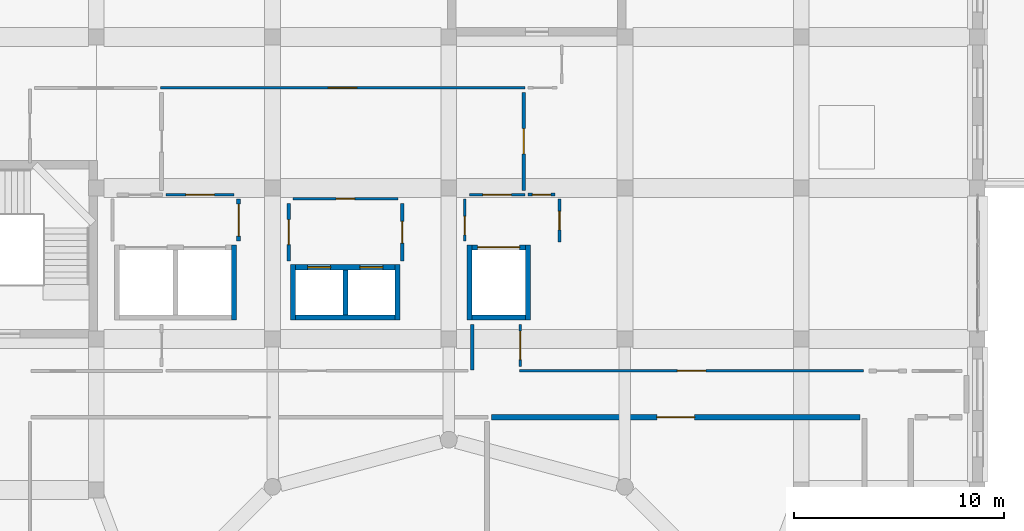
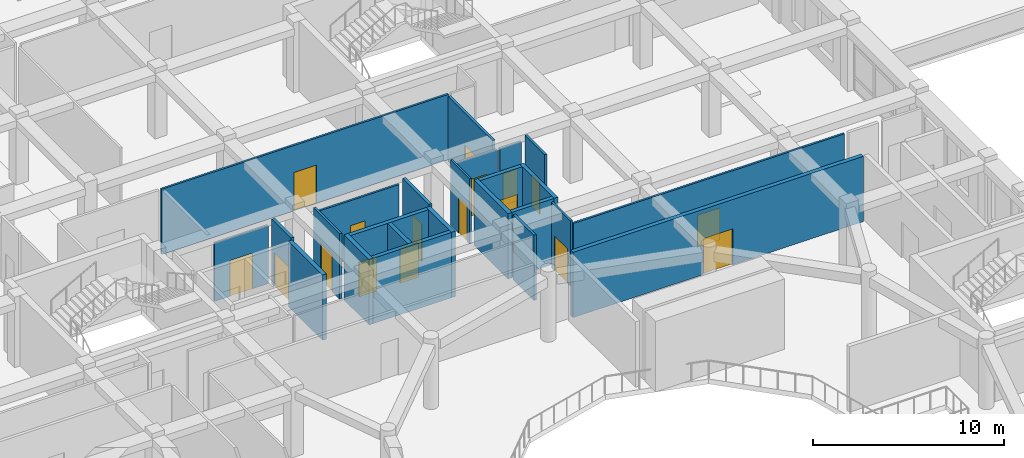
# One storey, part 83 of 121: 25 walls, 17 doors, 17 openings.
"""IFC4 building model written with IfcOpenShell, lengths in metres."""

from ifc_helpers import new_model, si_unit, derived_unit, direction, frame, frame_2d, origin, place, context, subcontext, project, spatial, rectangle, extrude, material, layer, layer_set, type_object, element, fill, save


model = new_model("IFC4")

# Units and contexts
model_context = context("Model", 3, precision=1e-05, world=origin(), true_north=direction((0.0, 1.0)))
body_context = subcontext(model_context, "Body", "Model", "MODEL_VIEW")
ifc_project = project(units=[si_unit("LENGTHUNIT", "METRE"), si_unit("AREAUNIT", "SQUARE_METRE"), si_unit("VOLUMEUNIT", "CUBIC_METRE"), si_unit("PLANEANGLEUNIT", "RADIAN"), si_unit("MASSUNIT", "GRAM", prefix="KILO"), derived_unit("THERMALTRANSMITTANCEUNIT", [(si_unit("POWERUNIT", "WATT"), 1), (si_unit("LENGTHUNIT", "METRE"), -2), (si_unit("THERMODYNAMICTEMPERATUREUNIT", "KELVIN"), -1)])], contexts=[model_context])

# Site, building, storey
site_placement = place(None, origin())
site = spatial("IfcSite", under=ifc_project, at=site_placement, CompositionType="ELEMENT")
building_placement = place(site_placement, origin())
building = spatial("IfcBuilding", under=site, at=building_placement, Name="Veybourne Emporium", CompositionType="ELEMENT")
storey_placement = place(building_placement, frame((0.0, 0.0, 5.39990234375)))
storey = spatial("IfcBuildingStorey", under=building, at=storey_placement, Name="L01", CompositionType="ELEMENT", Elevation=5.39990234375)

# Wall, openings, doors
ifc_material_1 = material(Name="Concrete C40/50", Category="concrete")
ifc_layer_1 = layer(ifc_material_1, 0.239990234375)
ifc_layer_set_1 = layer_set([ifc_layer_1], Name="Concrete C40/50")
wall_type_1 = type_object("IfcWallType", Name="IntWall_CW-04", PredefinedType="SHEAR", material=ifc_layer_set_1)
wall_1_placement = place(storey_placement, frame((73.0400390625, 75.419921875, 0.0), z_axis=(0.0, 0.0, 1.0), x_axis=(-1.0, 0.0, 0.0)))
wall_1 = element("IfcWall", 1, at=wall_1_placement, inside=storey, type_object=wall_type_1, Name="Lift core C4P north shaft wall (L01)", PredefinedType="SHEAR", context=body_context, shape_type="SweptSolid", body=[
    extrude(rectangle(XDim=4.739990234375, YDim=0.239990234375, at=frame_2d((2.3701171875, 0.0))), origin(), (0.0, 0.0, 1.0), 4.18017578125),
])
opening_1_placement = place(wall_1_placement, frame((3.06494140625, 0.0, 0.0)))
opening_1 = element("IfcOpeningElement", 2, at=opening_1_placement, cuts=wall_1, Name="Opening LD-01", PredefinedType="OPENING", context=body_context, shape_type="SweptSolid", body=[
    extrude(rectangle(XDim=1.10009765625, YDim=2.199951171875, at=frame_2d((0.550048828125, 1.10009765625))), frame((0.0, 0.14013671875, 0.0), z_axis=(0.0, -1.0, 0.0), x_axis=(1.0, 0.0, 0.0)), (0.0, 0.0, 1.0), 0.280029296875),
])
opening_2_placement = place(wall_1_placement, frame((0.574951171875, 0.0, 0.0)))
opening_2 = element("IfcOpeningElement", 3, at=opening_2_placement, cuts=wall_1, Name="Opening LD-01", PredefinedType="OPENING", context=body_context, shape_type="SweptSolid", body=[
    extrude(rectangle(XDim=1.10009765625, YDim=2.199951171875, at=frame_2d((0.550048828125, 1.10009765625))), frame((0.0, 0.14013671875, 0.0), z_axis=(0.0, -1.0, 0.0), x_axis=(1.0, 0.0, 0.0)), (0.0, 0.0, 1.0), 0.280029296875),
])
ifc_material_2 = material(Name="Patinated Architectural Bronze", Category="bronze")
door_type_1 = type_object("IfcDoorType", Name="FireDoor_LD-01", OperationType="DOUBLE_DOOR_SLIDING", PredefinedType="DOOR", material=ifc_material_2)
door_1_placement = place(opening_1_placement, origin())
door_1 = element("IfcDoor", 4, at=door_1_placement, inside=storey, type_object=door_type_1, Name="Lift PL-05 sliding landing door (L01)", OperationType="DOUBLE_DOOR_SLIDING", OverallHeight=2.199951171875, OverallWidth=1.10009765625, PredefinedType="DOOR", context=body_context, shape_type="SweptSolid", body=[
    extrude(rectangle(XDim=1.10009765625, YDim=2.199951171875, at=frame_2d((0.550048828125, 1.10009765625))), frame((0.0, 0.02490234375, 0.0), z_axis=(0.0, -1.0, 0.0), x_axis=(1.0, 0.0, 0.0)), (0.0, 0.0, 1.0), 0.050048828125),
])
fill(opening_1, door_1)
door_2_placement = place(opening_2_placement, origin())
door_2 = element("IfcDoor", 5, at=door_2_placement, inside=storey, type_object=door_type_1, Name="Lift PL-06 sliding landing door (L01)", OperationType="DOUBLE_DOOR_SLIDING", OverallHeight=2.199951171875, OverallWidth=1.10009765625, PredefinedType="DOOR", context=body_context, shape_type="SweptSolid", body=[
    extrude(rectangle(XDim=1.10009765625, YDim=2.199951171875, at=frame_2d((0.550048828125, 1.10009765625))), frame((0.0, 0.02490234375, 0.0), z_axis=(0.0, -1.0, 0.0), x_axis=(1.0, 0.0, 0.0)), (0.0, 0.0, 1.0), 0.050048828125),
])
fill(opening_2, door_2)

# Walls
wall_2_placement = place(storey_placement, frame((68.300048828125, 73.030029296875, 0.0), z_axis=(0.0, 0.0, 1.0), x_axis=(1.0, 0.0, 0.0)))
element("IfcWall", 6, at=wall_2_placement, inside=storey, type_object=wall_type_1, Name="Lift core C4P south shaft wall (L01)", PredefinedType="SHEAR", context=body_context, shape_type="SweptSolid", body=[
    extrude(rectangle(XDim=4.739990234375, YDim=0.239990234375, at=frame_2d((2.3701171875, 0.0))), origin(), (0.0, 0.0, 1.0), 4.18017578125),
])
for number, where, z_axis, x_axis, name in (
    (7, (68.179931640625, 75.5400390625, 0.0), (0.0, 0.0, 1.0), (0.0, -1.0, 0.0), "Lift core C4P west shaft wall (L01)"),
    (8, (73.159912109375, 72.909912109375, 0.0), (0.0, 0.0, 1.0), (0.0, 1.0, 0.0), "Lift core C4P east shaft wall (L01)"),
):
    element("IfcWall", number, at=place(storey_placement, frame(where, z_axis=z_axis, x_axis=x_axis)), inside=storey, type_object=wall_type_1, Name=name, PredefinedType="SHEAR", context=body_context, shape_type="SweptSolid", body=[
        extrude(rectangle(XDim=2.630126953125, YDim=0.239990234375, at=frame_2d((1.31494140625, 0.0))), origin(), (0.0, 0.0, 1.0), 4.18017578125),
    ])
wall_3_placement = place(storey_placement, frame((70.669921875, 73.14990234375, 0.0), z_axis=(0.0, 0.0, 1.0), x_axis=(0.0, 1.0, 0.0)))
element("IfcWall", 9, at=wall_3_placement, inside=storey, type_object=wall_type_1, Name="Lift core C4P divider wall 1 (L01)", PredefinedType="SHEAR", context=body_context, shape_type="SweptSolid", body=[
    extrude(rectangle(XDim=2.150146484375, YDim=0.239990234375, at=frame_2d((1.0751953125, 0.0))), origin(), (0.0, 0.0, 1.0), 4.18017578125),
])
wall_4_placement = place(storey_placement, frame((65.360107421875, 72.909912109375, 0.0), z_axis=(0.0, 0.0, 1.0), x_axis=(0.0, 1.0, 0.0)))
element("IfcWall", 10, at=wall_4_placement, inside=storey, type_object=wall_type_1, Name="Lift core C4G east shaft wall (L01)", PredefinedType="SHEAR", context=body_context, shape_type="SweptSolid", body=[
    extrude(rectangle(XDim=3.580078125, YDim=0.239990234375, at=frame_2d((1.7900390625, 0.0))), origin(), (0.0, 0.0, 1.0), 4.18017578125),
])

# Wall, opening, door
wall_5_placement = place(storey_placement, frame((79.25, 76.3701171875, 0.0), z_axis=(0.0, 0.0, 1.0), x_axis=(-1.0, 0.0, 0.0)))
wall_5 = element("IfcWall", 11, at=wall_5_placement, inside=storey, type_object=wall_type_1, Name="Lift core C4E north shaft wall (L01)", PredefinedType="SHEAR", context=body_context, shape_type="SweptSolid", body=[
    extrude(rectangle(XDim=2.550048828125, YDim=0.239990234375, at=frame_2d((1.27490234375, 0.0))), origin(), (0.0, 0.0, 1.0), 4.18017578125),
])
opening_3_placement = place(wall_5_placement, frame((0.27490234375, 0.0, 0.0)))
opening_3 = element("IfcOpeningElement", 12, at=opening_3_placement, cuts=wall_5, Name="Opening LD-03", PredefinedType="OPENING", context=body_context, shape_type="SweptSolid", body=[
    extrude(rectangle(XDim=2.0, YDim=2.5, at=frame_2d((1.0, 1.25))), frame((0.0, 0.14013671875, 0.0), z_axis=(0.0, -1.0, 0.0), x_axis=(1.0, 0.0, 0.0)), (0.0, 0.0, 1.0), 0.280029296875),
])
door_type_2 = type_object("IfcDoorType", Name="FireDoor_LD-03", OperationType="DOUBLE_DOOR_SLIDING", PredefinedType="DOOR", material=ifc_material_2)
door_3_placement = place(opening_3_placement, origin())
door_3 = element("IfcDoor", 13, at=door_3_placement, inside=storey, type_object=door_type_2, Name="Lift GL-03 sliding landing door (L01)", OperationType="DOUBLE_DOOR_SLIDING", OverallHeight=2.5, OverallWidth=2.0, PredefinedType="DOOR", context=body_context, shape_type="SweptSolid", body=[
    extrude(rectangle(XDim=2.0, YDim=2.5, at=frame_2d((1.0, 1.25))), frame((0.0, 0.02490234375, 0.0), z_axis=(0.0, -1.0, 0.0), x_axis=(1.0, 0.0, 0.0)), (0.0, 0.0, 1.0), 0.050048828125),
])
fill(opening_3, door_3)

# Walls
wall_6_placement = place(storey_placement, frame((76.699951171875, 73.030029296875, 0.0), z_axis=(0.0, 0.0, 1.0), x_axis=(1.0, 0.0, 0.0)))
element("IfcWall", 14, at=wall_6_placement, inside=storey, type_object=wall_type_1, Name="Lift core C4E south shaft wall (L01)", PredefinedType="SHEAR", context=body_context, shape_type="SweptSolid", body=[
    extrude(rectangle(XDim=2.550048828125, YDim=0.239990234375, at=frame_2d((1.27490234375, 0.0))), origin(), (0.0, 0.0, 1.0), 4.18017578125),
])
for number, where, z_axis, x_axis, name in (
    (15, (76.580078125, 76.489990234375, 0.0), (0.0, 0.0, 1.0), (0.0, -1.0, 0.0), "Lift core C4E west shaft wall (L01)"),
    (16, (79.3701171875, 72.909912109375, 0.0), (0.0, 0.0, 1.0), (0.0, 1.0, 0.0), "Lift core C4E east shaft wall (L01)"),
):
    element("IfcWall", number, at=place(storey_placement, frame(where, z_axis=z_axis, x_axis=x_axis)), inside=storey, type_object=wall_type_1, Name=name, PredefinedType="SHEAR", context=body_context, shape_type="SweptSolid", body=[
        extrude(rectangle(XDim=3.580078125, YDim=0.239990234375, at=frame_2d((1.7900390625, 0.0))), origin(), (0.0, 0.0, 1.0), 4.18017578125),
    ])

# Wall, opening, door
ifc_material_3 = material(Name="Concrete C32/40", Category="concrete")
ifc_layer_2 = layer(ifc_material_3, 0.25)
ifc_layer_set_2 = layer_set([ifc_layer_2], Name="Concrete C32/40")
wall_type_2 = type_object("IfcWallType", Name="IntWall_FW-01", PredefinedType="SOLIDWALL", material=ifc_layer_set_2)
wall_7_placement = place(storey_placement, frame((77.639892578125, 68.27001953125, 0.0), z_axis=(0.0, 0.0, 1.0), x_axis=(1.0, 0.0, 0.0)))
wall_7 = element("IfcWall", 17, at=wall_7_placement, inside=storey, type_object=wall_type_2, Name="L01 interior partition FW-01 #007", PredefinedType="SOLIDWALL", context=body_context, shape_type="SweptSolid", body=[
    extrude(rectangle(XDim=17.570068359375, YDim=0.25, at=frame_2d((8.78515625, 0.0))), origin(), (0.0, 0.0, 1.0), 4.18017578125),
])
opening_4_placement = place(wall_7_placement, frame((7.885009765625, 0.0, 0.0)))
opening_4 = element("IfcOpeningElement", 18, at=opening_4_placement, cuts=wall_7, Name="Opening FD-03", PredefinedType="OPENING", context=body_context, shape_type="SweptSolid", body=[
    extrude(rectangle(XDim=1.800048828125, YDim=2.300048828125, at=frame_2d((0.89990234375, 1.14990234375))), frame((0.0, 0.14501953125, 0.0), z_axis=(0.0, -1.0, 0.0), x_axis=(1.0, 0.0, 0.0)), (0.0, 0.0, 1.0), 0.2900390625),
])
door_type_3 = type_object("IfcDoorType", Name="FireDoor_FD-03", OperationType="DOUBLE_DOOR_SINGLE_SWING", PredefinedType="DOOR", material=ifc_material_2)
door_4_placement = place(opening_4_placement, origin())
door_4 = element("IfcDoor", 19, at=door_4_placement, inside=storey, type_object=door_type_3, Name="L01 interior door FD-03 (PART-L01-007)", OperationType="DOUBLE_DOOR_SINGLE_SWING", OverallHeight=2.300048828125, OverallWidth=1.800048828125, PredefinedType="DOOR", context=body_context, shape_type="SweptSolid", body=[
    extrude(rectangle(XDim=1.800048828125, YDim=2.300048828125, at=frame_2d((0.89990234375, 1.14990234375))), frame((0.0, 0.02490234375, 0.0), z_axis=(0.0, -1.0, 0.0), x_axis=(1.0, 0.0, 0.0)), (0.0, 0.0, 1.0), 0.050048828125),
])
fill(opening_4, door_4)

ifc_material_4 = material(Name="Gypsum Acoustic Board", Category="gypsum")
ifc_layer_3 = layer(ifc_material_4, 0.179931640625)
ifc_layer_set_3 = layer_set([ifc_layer_3], Name="Gypsum Acoustic Board")
wall_type_3 = type_object("IfcWallType", Name="IntWall_IW-01", PredefinedType="PARTITIONING", material=ifc_layer_set_3)
wall_8_placement = place(storey_placement, frame((73.3798828125, 75.715087890625, 0.0), z_axis=(0.0, 0.0, 1.0), x_axis=(0.0, 1.0, 0.0)))
wall_8 = element("IfcWall", 20, at=wall_8_placement, inside=storey, type_object=wall_type_3, Name="L01 interior partition IW-01 #109", PredefinedType="PARTITIONING", context=body_context, shape_type="SweptSolid", body=[
    extrude(rectangle(XDim=2.7548828125, YDim=0.179931640625, at=frame_2d((1.37744140625, 0.0))), origin(), (0.0, 0.0, 1.0), 4.18017578125),
])
opening_5_placement = place(wall_8_placement, frame((0.857421875, 0.0, 0.0)))
opening_5 = element("IfcOpeningElement", 21, at=opening_5_placement, cuts=wall_8, Name="Opening D-26", PredefinedType="OPENING", context=body_context, shape_type="SweptSolid", body=[
    extrude(rectangle(XDim=1.0400390625, YDim=2.3701171875, at=frame_2d((0.52001953125, 1.18505859375))), frame((0.0, 0.10986328125, 0.0), z_axis=(0.0, -1.0, 0.0), x_axis=(1.0, 0.0, 0.0)), (0.0, 0.0, 1.0), 0.219970703125),
])
ifc_material_5 = material(Name="European Oak Veneer and Bronze", Category="wood")
door_type_4 = type_object("IfcDoorType", Name="IntDoor_D-26", OperationType="NOTDEFINED", PredefinedType="DOOR", material=ifc_material_5)
door_5_placement = place(opening_5_placement, origin())
door_5 = element("IfcDoor", 22, at=door_5_placement, inside=storey, type_object=door_type_4, Name="L01 interior door D-26 (PART-L01-109)", OperationType="SINGLE_SWING_RIGHT", OverallHeight=2.3701171875, OverallWidth=1.0400390625, PredefinedType="DOOR", context=body_context, shape_type="SweptSolid", body=[
    extrude(rectangle(XDim=1.0400390625, YDim=2.3701171875, at=frame_2d((0.52001953125, 1.18505859375))), frame((0.0, 0.02490234375, 0.0), z_axis=(0.0, -1.0, 0.0), x_axis=(1.0, 0.0, 0.0)), (0.0, 0.0, 1.0), 0.050048828125),
])
fill(opening_5, door_5)

wall_9_placement = place(storey_placement, frame((65.580078125, 76.6650390625, 0.0), z_axis=(0.0, 0.0, 1.0), x_axis=(0.0, 1.0, 0.0)))
wall_9 = element("IfcWall", 23, at=wall_9_placement, inside=storey, type_object=wall_type_3, Name="L01 interior partition IW-01 #136", PredefinedType="PARTITIONING", context=body_context, shape_type="SweptSolid", body=[
    extrude(rectangle(XDim=2.0048828125, YDim=0.179931640625, at=frame_2d((1.00244140625, 0.0))), origin(), (0.0, 0.0, 1.0), 4.18017578125),
])
opening_6_placement = place(wall_9_placement, frame((0.242431640625, 0.0, 0.0)))
opening_6 = element("IfcOpeningElement", 24, at=opening_6_placement, cuts=wall_9, Name="Opening D-17", PredefinedType="OPENING", context=body_context, shape_type="SweptSolid", body=[
    extrude(rectangle(XDim=1.52001953125, YDim=2.2099609375, at=frame_2d((0.760009765625, 1.10498046875))), frame((0.0, 0.10986328125, 0.0), z_axis=(0.0, -1.0, 0.0), x_axis=(1.0, 0.0, 0.0)), (0.0, 0.0, 1.0), 0.219970703125),
])
door_type_5 = type_object("IfcDoorType", Name="IntDoor_D-17", OperationType="NOTDEFINED", PredefinedType="DOOR", material=ifc_material_5)
door_6_placement = place(opening_6_placement, origin())
door_6 = element("IfcDoor", 25, at=door_6_placement, inside=storey, type_object=door_type_5, Name="L01 interior door D-17 (PART-L01-136)", OperationType="SINGLE_SWING_LEFT", OverallHeight=2.2099609375, OverallWidth=1.52001953125, PredefinedType="DOOR", context=body_context, shape_type="SweptSolid", body=[
    extrude(rectangle(XDim=1.52001953125, YDim=2.2099609375, at=frame_2d((0.760009765625, 1.10498046875))), frame((0.0, 0.02490234375, 0.0), z_axis=(0.0, -1.0, 0.0), x_axis=(1.0, 0.0, 0.0)), (0.0, 0.0, 1.0), 0.050048828125),
])
fill(opening_6, door_6)

ifc_layer_4 = layer(ifc_material_4, 0.14990234375)
ifc_layer_set_4 = layer_set([ifc_layer_4], Name="Gypsum Acoustic Board")
wall_type_4 = type_object("IfcWallType", Name="IntWall_IW-02", PredefinedType="PARTITIONING", material=ifc_layer_set_4)
wall_10_placement = place(storey_placement, frame((79.176025390625, 79.090087890625, 0.0), z_axis=(0.0, 0.0, 1.0), x_axis=(0.0, 1.0, 0.0)))
wall_10 = element("IfcWall", 26, at=wall_10_placement, inside=storey, type_object=wall_type_4, Name="L01 interior partition IW-02 #092", PredefinedType="PARTITIONING", context=body_context, shape_type="SweptSolid", body=[
    extrude(rectangle(XDim=4.669921875, YDim=0.14990234375, at=frame_2d((2.3349609375, 0.0))), origin(), (0.0, 0.0, 1.0), 4.18017578125),
])
opening_7_placement = place(wall_10_placement, frame((1.735107421875, 0.0, 0.0)))
opening_7 = element("IfcOpeningElement", 27, at=opening_7_placement, cuts=wall_10, Name="Opening D-09", PredefinedType="OPENING", context=body_context, shape_type="SweptSolid", body=[
    extrude(rectangle(XDim=1.199951171875, YDim=2.1298828125, at=frame_2d((0.60009765625, 1.06494140625))), frame((0.0, 0.094970703125, 0.0), z_axis=(0.0, -1.0, 0.0), x_axis=(1.0, 0.0, 0.0)), (0.0, 0.0, 1.0), 0.18994140625),
])
door_type_6 = type_object("IfcDoorType", Name="IntDoor_D-09", OperationType="NOTDEFINED", PredefinedType="DOOR", material=ifc_material_5)
door_7_placement = place(opening_7_placement, origin())
door_7 = element("IfcDoor", 28, at=door_7_placement, inside=storey, type_object=door_type_6, Name="L01 interior door D-09 (PART-L01-092)", OperationType="SINGLE_SWING_LEFT", OverallHeight=2.1298828125, OverallWidth=1.199951171875, PredefinedType="DOOR", context=body_context, shape_type="SweptSolid", body=[
    extrude(rectangle(XDim=1.199951171875, YDim=2.1298828125, at=frame_2d((0.60009765625, 1.06494140625))), frame((0.0, 0.02490234375, 0.0), z_axis=(0.0, -1.0, 0.0), x_axis=(1.0, 0.0, 0.0)), (0.0, 0.0, 1.0), 0.050048828125),
])
fill(opening_7, door_7)

wall_11_placement = place(storey_placement, frame((67.969970703125, 75.721923828125, 0.0), z_axis=(0.0, 0.0, 1.0), x_axis=(0.0, 1.0, 0.0)))
wall_11 = element("IfcWall", 29, at=wall_11_placement, inside=storey, type_object=wall_type_4, Name="L01 interior partition IW-02 #110", PredefinedType="PARTITIONING", context=body_context, shape_type="SweptSolid", body=[
    extrude(rectangle(XDim=2.748046875, YDim=0.14990234375, at=frame_2d((1.3740234375, 0.0))), origin(), (0.0, 0.0, 1.0), 4.18017578125),
])
opening_8_placement = place(wall_11_placement, frame((0.77392578125, 0.0, 0.0)))
opening_8 = element("IfcOpeningElement", 30, at=opening_8_placement, cuts=wall_11, Name="Opening D-27", PredefinedType="OPENING", context=body_context, shape_type="SweptSolid", body=[
    extrude(rectangle(XDim=1.199951171875, YDim=2.3701171875, at=frame_2d((0.60009765625, 1.18505859375))), frame((0.0, 0.094970703125, 0.0), z_axis=(0.0, -1.0, 0.0), x_axis=(1.0, 0.0, 0.0)), (0.0, 0.0, 1.0), 0.18994140625),
])
door_type_7 = type_object("IfcDoorType", Name="IntDoor_D-27", OperationType="NOTDEFINED", PredefinedType="DOOR", material=ifc_material_5)
door_8_placement = place(opening_8_placement, origin())
door_8 = element("IfcDoor", 31, at=door_8_placement, inside=storey, type_object=door_type_7, Name="L01 interior door D-27 (PART-L01-110)", OperationType="SINGLE_SWING_LEFT", OverallHeight=2.3701171875, OverallWidth=1.199951171875, PredefinedType="DOOR", context=body_context, shape_type="SweptSolid", body=[
    extrude(rectangle(XDim=1.199951171875, YDim=2.3701171875, at=frame_2d((0.60009765625, 1.18505859375))), frame((0.0, 0.02490234375, 0.0), z_axis=(0.0, -1.0, 0.0), x_axis=(1.0, 0.0, 0.0)), (0.0, 0.0, 1.0), 0.050048828125),
])
fill(opening_8, door_8)

# Wall
wall_12_placement = place(storey_placement, frame((76.719970703125, 70.530029296875, 0.0), z_axis=(0.0, 0.0, 1.0), x_axis=(0.0, 1.0, 0.0)))
element("IfcWall", 32, at=wall_12_placement, inside=storey, type_object=wall_type_4, Name="L01 interior partition IW-02 #128", PredefinedType="PARTITIONING", context=body_context, shape_type="SweptSolid", body=[
    extrude(rectangle(XDim=2.169921875, YDim=0.14990234375, at=frame_2d((1.0849609375, 0.0))), origin(), (0.0, 0.0, 1.0), 4.18017578125),
])

# Wall, opening, door
wall_13_placement = place(storey_placement, frame((80.8798828125, 76.6201171875, 0.0), z_axis=(0.0, 0.0, 1.0), x_axis=(0.0, 1.0, 0.0)))
wall_13 = element("IfcWall", 33, at=wall_13_placement, inside=storey, type_object=wall_type_4, Name="L01 interior partition IW-02 #131", PredefinedType="PARTITIONING", context=body_context, shape_type="SweptSolid", body=[
    extrude(rectangle(XDim=2.0498046875, YDim=0.14990234375, at=frame_2d((1.02490234375, 0.0))), origin(), (0.0, 0.0, 1.0), 4.18017578125),
])
opening_9_placement = place(wall_13_placement, frame((0.5849609375, 0.0, 0.0)))
opening_9 = element("IfcOpeningElement", 34, at=opening_9_placement, cuts=wall_13, Name="Opening D-01", PredefinedType="OPENING", context=body_context, shape_type="SweptSolid", body=[
    extrude(rectangle(XDim=0.8798828125, YDim=2.050048828125, at=frame_2d((0.43994140625, 1.02490234375))), frame((0.0, 0.094970703125, 0.0), z_axis=(0.0, -1.0, 0.0), x_axis=(1.0, 0.0, 0.0)), (0.0, 0.0, 1.0), 0.18994140625),
])
door_type_8 = type_object("IfcDoorType", Name="IntDoor_D-01", OperationType="NOTDEFINED", PredefinedType="DOOR", material=ifc_material_5)
door_9_placement = place(opening_9_placement, origin())
door_9 = element("IfcDoor", 35, at=door_9_placement, inside=storey, type_object=door_type_8, Name="L01 interior door D-01 (PART-L01-131)", OperationType="SINGLE_SWING_RIGHT", OverallHeight=2.050048828125, OverallWidth=0.8798828125, PredefinedType="DOOR", context=body_context, shape_type="SweptSolid", body=[
    extrude(rectangle(XDim=0.8798828125, YDim=2.050048828125, at=frame_2d((0.43994140625, 1.02490234375))), frame((0.0, 0.02490234375, 0.0), z_axis=(0.0, -1.0, 0.0), x_axis=(1.0, 0.0, 0.0)), (0.0, 0.0, 1.0), 0.050048828125),
])
fill(opening_9, door_9)

wall_14_placement = place(storey_placement, frame((79.385986328125, 78.8798828125, 0.0), z_axis=(0.0, 0.0, 1.0), x_axis=(1.0, 0.0, 0.0)))
wall_14 = element("IfcWall", 36, at=wall_14_placement, inside=storey, type_object=wall_type_4, Name="L01 interior partition IW-02 #167", PredefinedType="PARTITIONING", context=body_context, shape_type="SweptSolid", body=[
    extrude(rectangle(XDim=1.283935546875, YDim=0.14990234375, at=frame_2d((0.64208984375, 0.0))), origin(), (0.0, 0.0, 1.0), 3.72998046875),
])
opening_10_placement = place(wall_14_placement, frame((0.201904296875, 0.0, 0.0)))
opening_10 = element("IfcOpeningElement", 37, at=opening_10_placement, cuts=wall_14, Name="Opening D-01", PredefinedType="OPENING", context=body_context, shape_type="SweptSolid", body=[
    extrude(rectangle(XDim=0.8798828125, YDim=2.050048828125, at=frame_2d((0.43994140625, 1.02490234375))), frame((0.0, 0.094970703125, 0.0), z_axis=(0.0, -1.0, 0.0), x_axis=(1.0, 0.0, 0.0)), (0.0, 0.0, 1.0), 0.18994140625),
])
door_10_placement = place(opening_10_placement, origin())
door_10 = element("IfcDoor", 38, at=door_10_placement, inside=storey, type_object=door_type_8, Name="L01 interior door D-01 (PART-L01-167)", OperationType="SINGLE_SWING_RIGHT", OverallHeight=2.050048828125, OverallWidth=0.8798828125, PredefinedType="DOOR", context=body_context, shape_type="SweptSolid", body=[
    extrude(rectangle(XDim=0.8798828125, YDim=2.050048828125, at=frame_2d((0.43994140625, 1.02490234375))), frame((0.0, 0.02490234375, 0.0), z_axis=(0.0, -1.0, 0.0), x_axis=(1.0, 0.0, 0.0)), (0.0, 0.0, 1.0), 0.050048828125),
])
fill(opening_10, door_10)

ifc_layer_5 = layer(ifc_material_4, 0.1201171875)
ifc_layer_set_5 = layer_set([ifc_layer_5], Name="Gypsum Acoustic Board")
wall_type_5 = type_object("IfcWallType", Name="IntWall_IW-03", PredefinedType="PARTITIONING", material=ifc_layer_set_5)
wall_15_placement = place(storey_placement, frame((61.862060546875, 83.969970703125, 0.0), z_axis=(0.0, 0.0, 1.0), x_axis=(1.0, 0.0, 0.0)))
wall_15 = element("IfcWall", 39, at=wall_15_placement, inside=storey, type_object=wall_type_5, Name="L01 interior partition IW-03 #009", PredefinedType="PARTITIONING", context=body_context, shape_type="SweptSolid", body=[
    extrude(rectangle(XDim=17.364013671875, YDim=0.1201171875, at=frame_2d((8.68212890625, 0.0))), origin(), (0.0, 0.0, 1.0), 4.18017578125),
])
opening_11_placement = place(wall_15_placement, frame((8.001953125, 0.0, 0.0)))
opening_11 = element("IfcOpeningElement", 40, at=opening_11_placement, cuts=wall_15, Name="Opening D-34", PredefinedType="OPENING", context=body_context, shape_type="SweptSolid", body=[
    extrude(rectangle(XDim=1.360107421875, YDim=2.449951171875, at=frame_2d((0.68017578125, 1.22509765625))), frame((0.0, 0.080078125, 0.0), z_axis=(0.0, -1.0, 0.0), x_axis=(1.0, 0.0, 0.0)), (0.0, 0.0, 1.0), 0.16015625),
])
door_type_9 = type_object("IfcDoorType", Name="IntDoor_D-34", OperationType="NOTDEFINED", PredefinedType="DOOR", material=ifc_material_5)
door_11_placement = place(opening_11_placement, origin())
door_11 = element("IfcDoor", 41, at=door_11_placement, inside=storey, type_object=door_type_9, Name="L01 interior door D-34 (PART-L01-009)", OperationType="SINGLE_SWING_LEFT", OverallHeight=2.449951171875, OverallWidth=1.360107421875, PredefinedType="DOOR", context=body_context, shape_type="SweptSolid", body=[
    extrude(rectangle(XDim=1.360107421875, YDim=2.449951171875, at=frame_2d((0.68017578125, 1.22509765625))), frame((0.0, 0.02490234375, 0.0), z_axis=(0.0, -1.0, 0.0), x_axis=(1.0, 0.0, 0.0)), (0.0, 0.0, 1.0), 0.050048828125),
])
fill(opening_11, door_11)

wall_16_placement = place(storey_placement, frame((78.97998046875, 70.47998046875, 0.0), z_axis=(0.0, 0.0, 1.0), x_axis=(1.0, 0.0, 0.0)))
wall_16 = element("IfcWall", 42, at=wall_16_placement, inside=storey, type_object=wall_type_5, Name="L01 interior partition IW-03 #015", PredefinedType="PARTITIONING", context=body_context, shape_type="SweptSolid", body=[
    extrude(rectangle(XDim=16.39013671875, YDim=0.1201171875, at=frame_2d((8.195068359375, 0.0))), origin(), (0.0, 0.0, 1.0), 4.18017578125),
])
opening_12_placement = place(wall_16_placement, frame((7.514892578125, 0.0, 0.0)))
opening_12 = element("IfcOpeningElement", 43, at=opening_12_placement, cuts=wall_16, Name="Opening D-04", PredefinedType="OPENING", context=body_context, shape_type="SweptSolid", body=[
    extrude(rectangle(XDim=1.360107421875, YDim=2.050048828125, at=frame_2d((0.68017578125, 1.02490234375))), frame((0.0, 0.080078125, 0.0), z_axis=(0.0, -1.0, 0.0), x_axis=(1.0, 0.0, 0.0)), (0.0, 0.0, 1.0), 0.16015625),
])
door_type_10 = type_object("IfcDoorType", Name="IntDoor_D-04", OperationType="NOTDEFINED", PredefinedType="DOOR", material=ifc_material_5)
door_12_placement = place(opening_12_placement, origin())
door_12 = element("IfcDoor", 44, at=door_12_placement, inside=storey, type_object=door_type_10, Name="L01 interior door D-04 (PART-L01-015)", OperationType="SINGLE_SWING_LEFT", OverallHeight=2.050048828125, OverallWidth=1.360107421875, PredefinedType="DOOR", context=body_context, shape_type="SweptSolid", body=[
    extrude(rectangle(XDim=1.360107421875, YDim=2.050048828125, at=frame_2d((0.68017578125, 1.02490234375))), frame((0.0, 0.02490234375, 0.0), z_axis=(0.0, -1.0, 0.0), x_axis=(1.0, 0.0, 0.0)), (0.0, 0.0, 1.0), 0.050048828125),
])
fill(opening_12, door_12)

wall_17_placement = place(storey_placement, frame((68.179931640625, 78.679931640625, 0.0), z_axis=(0.0, 0.0, 1.0), x_axis=(1.0, 0.0, 0.0)))
wall_17 = element("IfcWall", 45, at=wall_17_placement, inside=storey, type_object=wall_type_5, Name="L01 interior partition IW-03 #090", PredefinedType="PARTITIONING", context=body_context, shape_type="SweptSolid", body=[
    extrude(rectangle(XDim=4.989990234375, YDim=0.1201171875, at=frame_2d((2.4951171875, 0.0))), origin(), (0.0, 0.0, 1.0), 3.72998046875),
])
opening_13_placement = place(wall_17_placement, frame((2.054931640625, 0.0, 0.0)))
opening_13 = element("IfcOpeningElement", 46, at=opening_13_placement, cuts=wall_17, Name="Opening D-07", PredefinedType="OPENING", context=body_context, shape_type="SweptSolid", body=[
    extrude(rectangle(XDim=0.8798828125, YDim=2.1298828125, at=frame_2d((0.43994140625, 1.06494140625))), frame((0.0, 0.080078125, 0.0), z_axis=(0.0, -1.0, 0.0), x_axis=(1.0, 0.0, 0.0)), (0.0, 0.0, 1.0), 0.16015625),
])
door_type_11 = type_object("IfcDoorType", Name="IntDoor_D-07", OperationType="NOTDEFINED", PredefinedType="DOOR", material=ifc_material_5)
door_13_placement = place(opening_13_placement, origin())
door_13 = element("IfcDoor", 47, at=door_13_placement, inside=storey, type_object=door_type_11, Name="L01 interior door D-07 (PART-L01-090)", OperationType="SINGLE_SWING_LEFT", OverallHeight=2.1298828125, OverallWidth=0.8798828125, PredefinedType="DOOR", context=body_context, shape_type="SweptSolid", body=[
    extrude(rectangle(XDim=0.8798828125, YDim=2.1298828125, at=frame_2d((0.43994140625, 1.06494140625))), frame((0.0, 0.02490234375, 0.0), z_axis=(0.0, -1.0, 0.0), x_axis=(1.0, 0.0, 0.0)), (0.0, 0.0, 1.0), 0.050048828125),
])
fill(opening_13, door_13)

wall_18_placement = place(storey_placement, frame((62.1220703125, 78.8798828125, 0.0), z_axis=(0.0, 0.0, 1.0), x_axis=(1.0, 0.0, 0.0)))
wall_18 = element("IfcWall", 48, at=wall_18_placement, inside=storey, type_object=wall_type_5, Name="L01 interior partition IW-03 #105", PredefinedType="PARTITIONING", context=body_context, shape_type="SweptSolid", body=[
    extrude(rectangle(XDim=3.248046875, YDim=0.1201171875, at=frame_2d((1.6240234375, 0.0))), origin(), (0.0, 0.0, 1.0), 3.72998046875),
])
opening_14_placement = place(wall_18_placement, frame((0.944091796875, 0.0, 0.0)))
opening_14 = element("IfcOpeningElement", 49, at=opening_14_placement, cuts=wall_18, Name="Opening D-22", PredefinedType="OPENING", context=body_context, shape_type="SweptSolid", body=[
    extrude(rectangle(XDim=1.360107421875, YDim=2.2900390625, at=frame_2d((0.68017578125, 1.14501953125))), frame((0.0, 0.080078125, 0.0), z_axis=(0.0, -1.0, 0.0), x_axis=(1.0, 0.0, 0.0)), (0.0, 0.0, 1.0), 0.16015625),
])
door_type_12 = type_object("IfcDoorType", Name="IntDoor_D-22", OperationType="NOTDEFINED", PredefinedType="DOOR", material=ifc_material_5)
door_14_placement = place(opening_14_placement, origin())
door_14 = element("IfcDoor", 50, at=door_14_placement, inside=storey, type_object=door_type_12, Name="L01 interior door D-22 (PART-L01-105)", OperationType="SINGLE_SWING_RIGHT", OverallHeight=2.2900390625, OverallWidth=1.360107421875, PredefinedType="DOOR", context=body_context, shape_type="SweptSolid", body=[
    extrude(rectangle(XDim=1.360107421875, YDim=2.2900390625, at=frame_2d((0.68017578125, 1.14501953125))), frame((0.0, 0.02490234375, 0.0), z_axis=(0.0, -1.0, 0.0), x_axis=(1.0, 0.0, 0.0)), (0.0, 0.0, 1.0), 0.050048828125),
])
fill(opening_14, door_14)

wall_19_placement = place(storey_placement, frame((76.580078125, 78.8798828125, 0.0), z_axis=(0.0, 0.0, 1.0), x_axis=(1.0, 0.0, 0.0)))
wall_19 = element("IfcWall", 51, at=wall_19_placement, inside=storey, type_object=wall_type_5, Name="L01 interior partition IW-03 #111", PredefinedType="PARTITIONING", context=body_context, shape_type="SweptSolid", body=[
    extrude(rectangle(XDim=2.64599609375, YDim=0.1201171875, at=frame_2d((1.322998046875, 0.0))), origin(), (0.0, 0.0, 1.0), 3.72998046875),
])
opening_15_placement = place(wall_19_placement, frame((0.64306640625, 0.0, 0.0)))
opening_15 = element("IfcOpeningElement", 52, at=opening_15_placement, cuts=wall_19, Name="Opening D-28", PredefinedType="OPENING", context=body_context, shape_type="SweptSolid", body=[
    extrude(rectangle(XDim=1.360107421875, YDim=2.3701171875, at=frame_2d((0.68017578125, 1.18505859375))), frame((0.0, 0.080078125, 0.0), z_axis=(0.0, -1.0, 0.0), x_axis=(1.0, 0.0, 0.0)), (0.0, 0.0, 1.0), 0.16015625),
])
door_type_13 = type_object("IfcDoorType", Name="IntDoor_D-28", OperationType="NOTDEFINED", PredefinedType="DOOR", material=ifc_material_5)
door_15_placement = place(opening_15_placement, origin())
door_15 = element("IfcDoor", 53, at=door_15_placement, inside=storey, type_object=door_type_13, Name="L01 interior door D-28 (PART-L01-111)", OperationType="SINGLE_SWING_RIGHT", OverallHeight=2.3701171875, OverallWidth=1.360107421875, PredefinedType="DOOR", context=body_context, shape_type="SweptSolid", body=[
    extrude(rectangle(XDim=1.360107421875, YDim=2.3701171875, at=frame_2d((0.68017578125, 1.18505859375))), frame((0.0, 0.02490234375, 0.0), z_axis=(0.0, -1.0, 0.0), x_axis=(1.0, 0.0, 0.0)), (0.0, 0.0, 1.0), 0.050048828125),
])
fill(opening_15, door_15)

wall_20_placement = place(storey_placement, frame((79.01611328125, 70.68994140625, 0.0), z_axis=(0.0, 0.0, 1.0), x_axis=(0.0, 1.0, 0.0)))
wall_20 = element("IfcWall", 54, at=wall_20_placement, inside=storey, type_object=wall_type_5, Name="L01 interior partition IW-03 #135", PredefinedType="PARTITIONING", context=body_context, shape_type="SweptSolid", body=[
    extrude(rectangle(XDim=2.010009765625, YDim=0.1201171875, at=frame_2d((1.0048828125, 0.0))), origin(), (0.0, 0.0, 1.0), 4.18017578125),
])
opening_16_placement = place(wall_20_placement, frame((0.324951171875, 0.0, 0.0)))
opening_16 = element("IfcOpeningElement", 55, at=opening_16_placement, cuts=wall_20, Name="Opening D-16", PredefinedType="OPENING", context=body_context, shape_type="SweptSolid", body=[
    extrude(rectangle(XDim=1.360107421875, YDim=2.2099609375, at=frame_2d((0.68017578125, 1.10498046875))), frame((0.0, 0.080078125, 0.0), z_axis=(0.0, -1.0, 0.0), x_axis=(1.0, 0.0, 0.0)), (0.0, 0.0, 1.0), 0.16015625),
])
door_type_14 = type_object("IfcDoorType", Name="IntDoor_D-16", OperationType="NOTDEFINED", PredefinedType="DOOR", material=ifc_material_5)
door_16_placement = place(opening_16_placement, origin())
door_16 = element("IfcDoor", 56, at=door_16_placement, inside=storey, type_object=door_type_14, Name="L01 interior door D-16 (PART-L01-135)", OperationType="SINGLE_SWING_RIGHT", OverallHeight=2.2099609375, OverallWidth=1.360107421875, PredefinedType="DOOR", context=body_context, shape_type="SweptSolid", body=[
    extrude(rectangle(XDim=1.360107421875, YDim=2.2099609375, at=frame_2d((0.68017578125, 1.10498046875))), frame((0.0, 0.02490234375, 0.0), z_axis=(0.0, -1.0, 0.0), x_axis=(1.0, 0.0, 0.0)), (0.0, 0.0, 1.0), 0.050048828125),
])
fill(opening_16, door_16)

wall_21_placement = place(storey_placement, frame((76.3701171875, 76.672119140625, 0.0), z_axis=(0.0, 0.0, 1.0), x_axis=(0.0, 1.0, 0.0)))
wall_21 = element("IfcWall", 57, at=wall_21_placement, inside=storey, type_object=wall_type_5, Name="L01 interior partition IW-03 #138", PredefinedType="PARTITIONING", context=body_context, shape_type="SweptSolid", body=[
    extrude(rectangle(XDim=1.997802734375, YDim=0.1201171875, at=frame_2d((0.9990234375, 0.0))), origin(), (0.0, 0.0, 1.0), 4.18017578125),
])
opening_17_placement = place(wall_21_placement, frame((0.290771484375, 0.0, 0.0)))
opening_17 = element("IfcOpeningElement", 58, at=opening_17_placement, cuts=wall_21, Name="Opening D-19", PredefinedType="OPENING", context=body_context, shape_type="SweptSolid", body=[
    extrude(rectangle(XDim=0.8798828125, YDim=2.2900390625, at=frame_2d((0.43994140625, 1.14501953125))), frame((0.0, 0.080078125, 0.0), z_axis=(0.0, -1.0, 0.0), x_axis=(1.0, 0.0, 0.0)), (0.0, 0.0, 1.0), 0.16015625),
])
door_type_15 = type_object("IfcDoorType", Name="IntDoor_D-19", OperationType="NOTDEFINED", PredefinedType="DOOR", material=ifc_material_5)
door_17_placement = place(opening_17_placement, origin())
door_17 = element("IfcDoor", 59, at=door_17_placement, inside=storey, type_object=door_type_15, Name="L01 interior door D-19 (PART-L01-138)", OperationType="SINGLE_SWING_RIGHT", OverallHeight=2.2900390625, OverallWidth=0.8798828125, PredefinedType="DOOR", context=body_context, shape_type="SweptSolid", body=[
    extrude(rectangle(XDim=0.8798828125, YDim=2.2900390625, at=frame_2d((0.43994140625, 1.14501953125))), frame((0.0, 0.02490234375, 0.0), z_axis=(0.0, -1.0, 0.0), x_axis=(1.0, 0.0, 0.0)), (0.0, 0.0, 1.0), 0.050048828125),
])
fill(opening_17, door_17)

save(model, "model.ifc")
